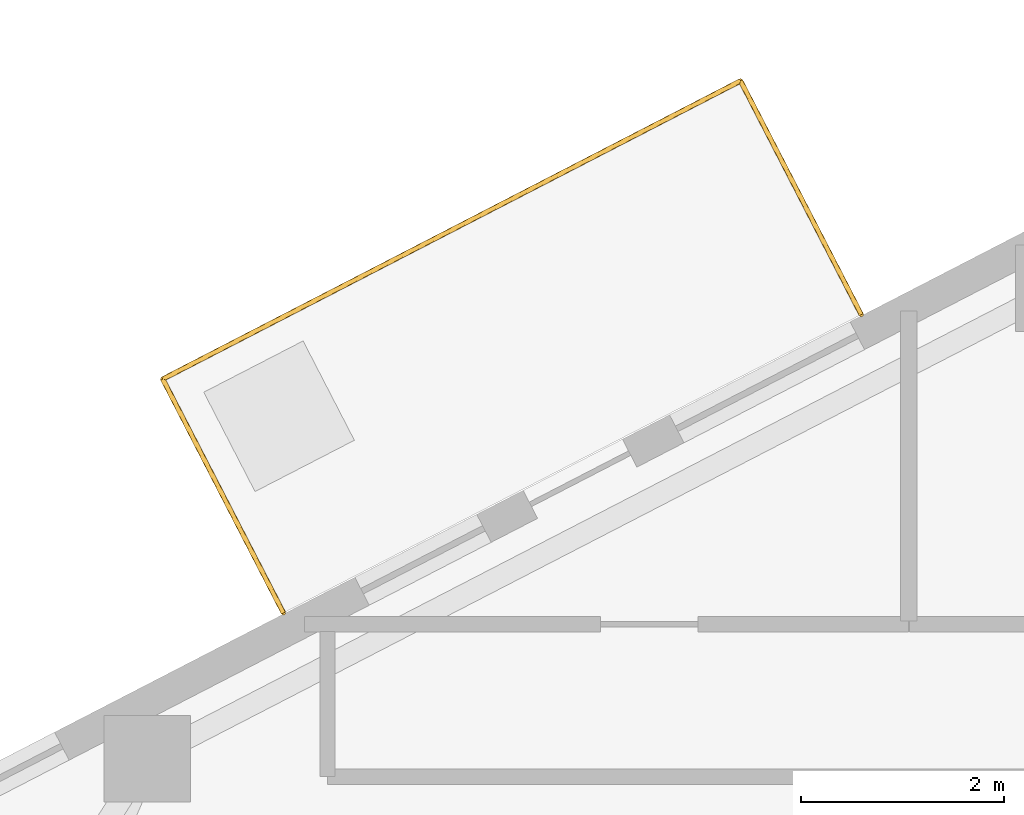
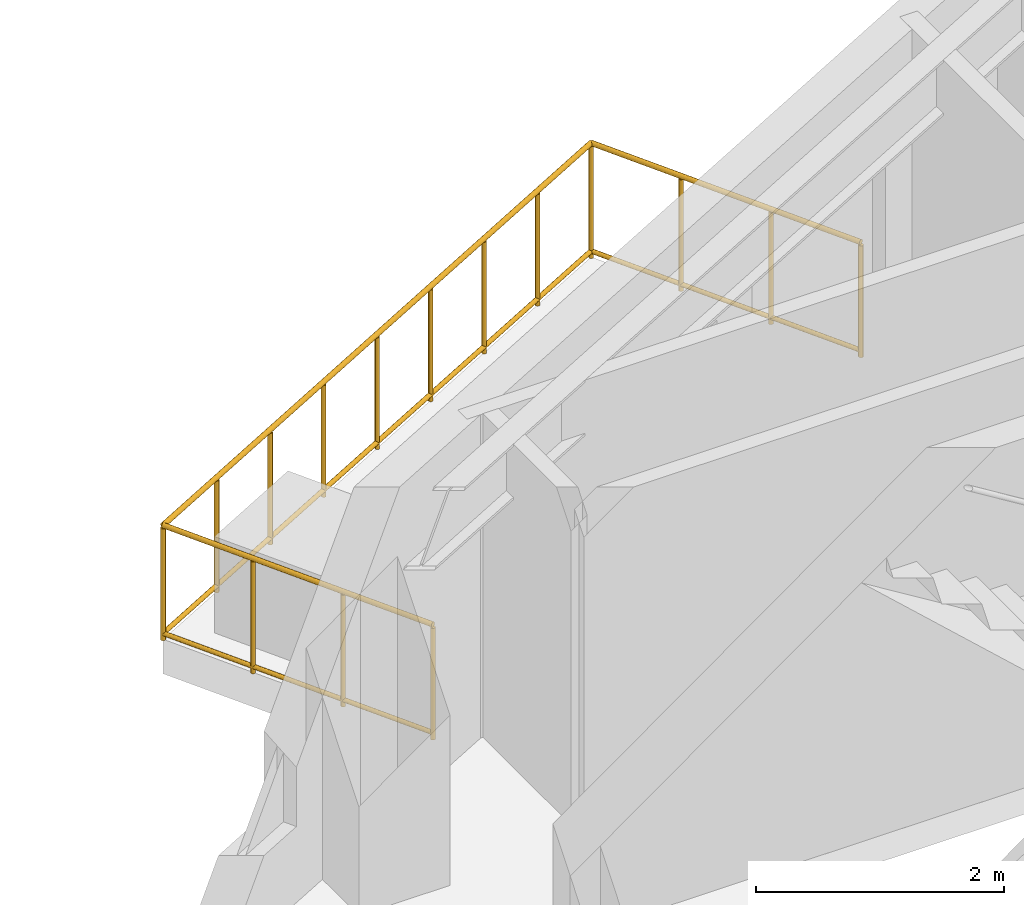
# One storey, part 8 of 8: 1 railing.
"""IFC4 building model written with IfcOpenShell, lengths in metres."""

from ifc_helpers import new_model, si_unit, direction, frame, origin, origin_2d, place, context, subcontext, project, spatial, circle, extrude, material, type_object, element, save


model = new_model("IFC4")

# Units and contexts
model_context = context("Model", 3, precision=1e-05, world=origin(), true_north=direction((0.0, 1.0)))
body_context = subcontext(model_context, "Body", "Model", "MODEL_VIEW")
ifc_project = project(units=[si_unit("LENGTHUNIT", "METRE"), si_unit("AREAUNIT", "SQUARE_METRE"), si_unit("VOLUMEUNIT", "CUBIC_METRE"), si_unit("PLANEANGLEUNIT", "RADIAN"), si_unit("MASSUNIT", "GRAM", prefix="KILO"), si_unit("THERMODYNAMICTEMPERATUREUNIT", "KELVIN"), si_unit("POWERUNIT", "WATT")], contexts=[model_context])

# Site, building, storey
site_placement = place(None, origin())
site = spatial("IfcSite", under=ifc_project, at=site_placement, CompositionType="ELEMENT")
building_placement = place(site_placement, origin())
building = spatial("IfcBuilding", under=site, at=building_placement, Name="Skarre Station Tower", CompositionType="ELEMENT")
storey_placement = place(building_placement, frame((0.0, 0.0, 203.35009765625)))
storey = spatial("IfcBuildingStorey", under=building, at=storey_placement, Name="L55", CompositionType="ELEMENT", Elevation=203.35009765625)

# Railing
ifc_material = material(Name="Stainless Steel Grade 316L & Laminated Safety Glass", Category="steel")
railing_type = type_object("IfcRailingType", Name="Laminated Glass & Stainless Terrace Guardrail 1150", PredefinedType="BALUSTRADE", material=ifc_material)
railing_placement = place(storey_placement, frame((27.653076171875, 40.626953125, 0.0)))
element("IfcRailing", 1, at=railing_placement, inside=storey, type_object=railing_type, Name="L55 TB-L55-F1 Tree-Balcony Guardrail", PredefinedType="BALUSTRADE", context=body_context, shape_type="SweptSolid", body=[
    extrude(circle(Radius=0.02392578125, at=origin_2d()), frame((0.0, 0.0, 1.1259765625), z_axis=(-0.458753384133, 0.888563634495, 0.0), x_axis=(-0.888563634495, -0.458753384133, 0.0)), (0.0, 0.0, 1.0), 2.589599609375),
    extrude(circle(Radius=0.02099609375, at=origin_2d()), frame((0.0, 0.0, 0.06005859375), z_axis=(-0.458753384133, 0.888563634495, 0.0), x_axis=(-0.888563634495, -0.458753384133, 0.0)), (0.0, 0.0, 1.0), 2.589599609375),
    extrude(circle(Radius=0.02392578125, at=origin_2d()), frame((-1.18798828125, 2.301025390625, 1.1259765625), z_axis=(-0.888631690717, -0.458621541418, 0.0), x_axis=(0.458621541418, -0.888631690717, 0.0)), (0.0, 0.0, 1.0), 6.399658203125),
    extrude(circle(Radius=0.02099609375, at=origin_2d()), frame((-1.18798828125, 2.301025390625, 0.06005859375), z_axis=(-0.888631690717, -0.458621541418, 0.0), x_axis=(0.458621541418, -0.888631690717, 0.0)), (0.0, 0.0, 1.0), 6.399658203125),
    extrude(circle(Radius=0.02392578125, at=origin_2d()), frame((-6.875, -0.634033203125, 1.1259765625), z_axis=(0.458599707136, -0.888642959019, 0.0), x_axis=(0.888642959019, 0.458599707136, 0.0)), (0.0, 0.0, 1.0), 2.590576171875),
    extrude(circle(Radius=0.02099609375, at=origin_2d()), frame((-6.875, -0.634033203125, 0.06005859375), z_axis=(0.458599707136, -0.888642959019, 0.0), x_axis=(0.888642959019, 0.458599707136, 0.0)), (0.0, 0.0, 1.0), 2.590576171875),
    extrude(circle(Radius=0.02099609375, at=origin_2d()), origin(), (0.0, 0.0, 1.0), 1.101806640625),
    extrude(circle(Radius=0.02099609375, at=origin_2d()), frame((-0.39599609375, 0.76708984375, 0.0)), (0.0, 0.0, 1.0), 1.101806640625),
    extrude(circle(Radius=0.02099609375, at=origin_2d()), frame((-0.7919921875, 1.533935546875, 0.0)), (0.0, 0.0, 1.0), 1.101806640625),
    extrude(circle(Radius=0.02099609375, at=origin_2d()), frame((-1.18798828125, 2.301025390625, 0.0)), (0.0, 0.0, 1.0), 1.101806640625),
    extrude(circle(Radius=0.02099609375, at=origin_2d()), frame((-1.89892578125, 1.93408203125, 0.0)), (0.0, 0.0, 1.0), 1.101806640625),
    extrude(circle(Radius=0.02099609375, at=origin_2d()), frame((-2.60986328125, 1.5673828125, 0.0)), (0.0, 0.0, 1.0), 1.101806640625),
    extrude(circle(Radius=0.02099609375, at=origin_2d()), frame((-3.320556640625, 1.200439453125, 0.0)), (0.0, 0.0, 1.0), 1.101806640625),
    extrude(circle(Radius=0.02099609375, at=origin_2d()), frame((-4.031494140625, 0.83349609375, 0.0)), (0.0, 0.0, 1.0), 1.101806640625),
    extrude(circle(Radius=0.02099609375, at=origin_2d()), frame((-4.742431640625, 0.466552734375, 0.0)), (0.0, 0.0, 1.0), 1.101806640625),
    extrude(circle(Radius=0.02099609375, at=origin_2d()), frame((-5.453125, 0.099609375, 0.0)), (0.0, 0.0, 1.0), 1.101806640625),
    extrude(circle(Radius=0.02099609375, at=origin_2d()), frame((-6.1640625, -0.26708984375, 0.0)), (0.0, 0.0, 1.0), 1.101806640625),
    extrude(circle(Radius=0.02099609375, at=origin_2d()), frame((-6.875, -0.634033203125, 0.0)), (0.0, 0.0, 1.0), 1.101806640625),
    extrude(circle(Radius=0.02099609375, at=origin_2d()), frame((-6.47900390625, -1.4013671875, 0.0)), (0.0, 0.0, 1.0), 1.101806640625),
    extrude(circle(Radius=0.02099609375, at=origin_2d()), frame((-6.0830078125, -2.168701171875, 0.0)), (0.0, 0.0, 1.0), 1.101806640625),
    extrude(circle(Radius=0.02099609375, at=origin_2d()), frame((-5.68701171875, -2.93603515625, 0.0)), (0.0, 0.0, 1.0), 1.101806640625),
])

save(model, "model.ifc")
